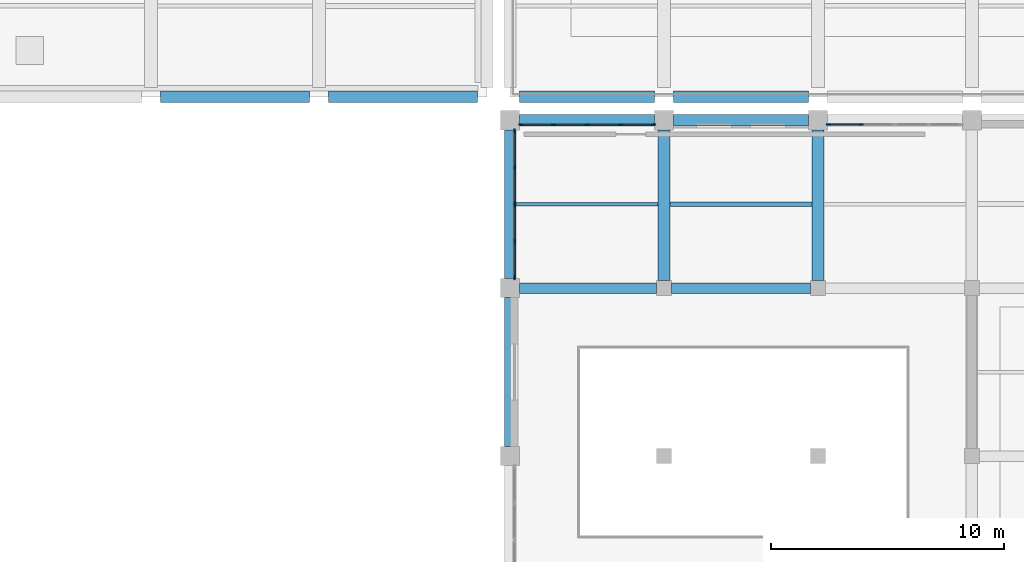
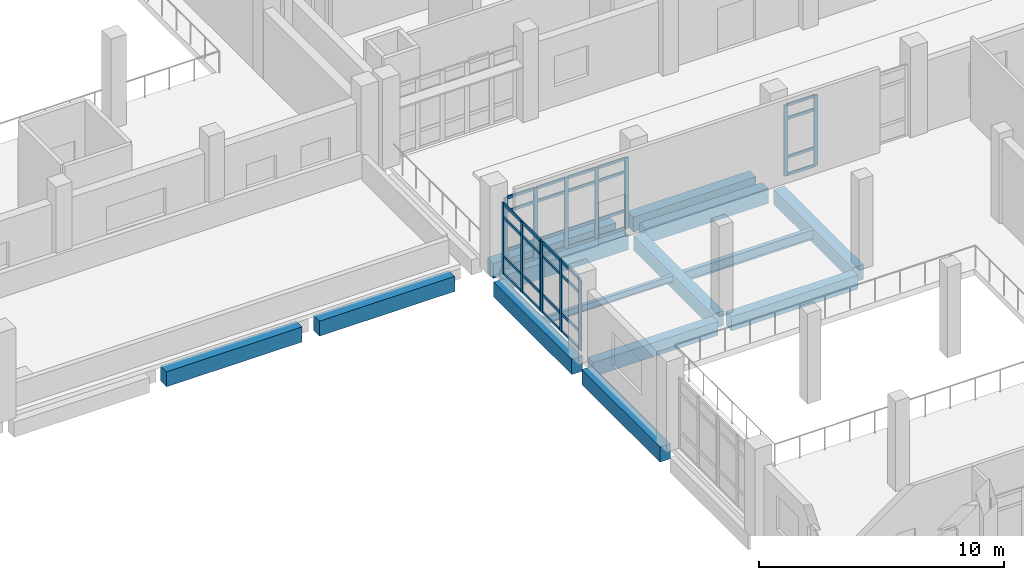
# One storey, part 4 of 54: 49 members, 14 beams, 4 elements without a shape of their own.
"""IFC4 building model written with IfcOpenShell, lengths in metres."""

from ifc_helpers import new_model, si_unit, direction, frame, origin, origin_2d, place, context, subcontext, project, spatial, rectangle, i_section, extrude, material, layer, layer_set, material_profile, profile_set, type_object, element, aggregate, save


model = new_model("IFC4")

# Units and contexts
model_context = context("Model", 3, precision=1e-05, world=origin(), true_north=direction((0.0, 1.0)))
body_context = subcontext(model_context, "Body", "Model", "MODEL_VIEW")
ifc_project = project(units=[si_unit("LENGTHUNIT", "METRE"), si_unit("AREAUNIT", "SQUARE_METRE"), si_unit("VOLUMEUNIT", "CUBIC_METRE"), si_unit("PLANEANGLEUNIT", "RADIAN"), si_unit("MASSUNIT", "GRAM", prefix="KILO")], contexts=[model_context])

# Site, building, storey
site_placement = place(None, origin())
site = spatial("IfcSite", under=ifc_project, at=site_placement, CompositionType="ELEMENT")
building_placement = place(site_placement, origin())
building = spatial("IfcBuilding", under=site, at=building_placement, Name="Kelarvand Opera House", CompositionType="ELEMENT")
storey_placement = place(building_placement, frame((0.0, 0.0, 15.0)))
storey = spatial("IfcBuildingStorey", under=building, at=storey_placement, Name="L03", CompositionType="ELEMENT", Elevation=15.0)

# Curtain wall, members
ifc_material_1 = material(Name="Thermally broken aluminium and low-E glazing", Category="aluminium")
ifc_layer_1 = layer(ifc_material_1, 0.179931640625, Name="Thermally broken aluminium and low-E glazing", Category="aluminium")
ifc_layer_set_1 = layer_set([ifc_layer_1], Name="Thermally broken aluminium and low-E glazing")
curtain_wall_type_1 = type_object("IfcCurtainWallType", Name="Unitised Low-E Curtain Wall 5760x3530 Mod 1350 CWF-58", PredefinedType="USERDEFINED", material=ifc_layer_set_1)
curtain_wall_1_placement = place(storey_placement, origin())
curtain_wall_1 = element("IfcCurtainWall", 1, at=curtain_wall_1_placement, inside=storey, type_object=curtain_wall_type_1, Name="V6 L03 Curtain Wall CWF-58 (231)", ObjectType="UNITISED CURTAIN WALL", PredefinedType="USERDEFINED")
ifc_material_2 = material(Name="Thermally broken anodised aluminium", Category="aluminium")
ifc_material_profile_1 = material_profile(ifc_material_2, rectangle(XDim=0.06494140625, YDim=0.179931640625, at=origin_2d()), Name="ALU MULLION 65x180", Category="aluminium")
ifc_profile_set_1 = profile_set([ifc_material_profile_1], Name="Thermally broken anodised aluminium")
member_type_1 = type_object("IfcMemberType", Name="Curtain Wall Mullion 65x180 Aluminium", PredefinedType="MULLION", material=ifc_profile_set_1)
member_1_placement = place(storey_placement, frame((89.452392578125, 37.6201171875, 0.0), z_axis=(0.0, 0.0, 1.0), x_axis=(0.0, 1.0, 0.0)))
member_1 = element("IfcMember", 2, at=member_1_placement, type_object=member_type_1, Name="CWF-58 mullion 1", PredefinedType="MULLION", context=body_context, shape_type="SweptSolid", body=[
    extrude(rectangle(XDim=0.06494140625, YDim=0.179931640625, at=origin_2d()), origin(), (0.0, 0.0, 1.0), 3.530029296875),
])
member_2_placement = place(storey_placement, frame((90.860107421875, 37.6201171875, 0.0), z_axis=(0.0, 0.0, 1.0), x_axis=(0.0, 1.0, 0.0)))
member_2 = element("IfcMember", 3, at=member_2_placement, type_object=member_type_1, Name="CWF-58 mullion 2", PredefinedType="MULLION", context=body_context, shape_type="SweptSolid", body=[
    extrude(rectangle(XDim=0.06494140625, YDim=0.179931640625, at=origin_2d()), origin(), (0.0, 0.0, 1.0), 3.530029296875),
])
member_3_placement = place(storey_placement, frame((92.300048828125, 37.6201171875, 0.0), z_axis=(0.0, 0.0, 1.0), x_axis=(0.0, 1.0, 0.0)))
member_3 = element("IfcMember", 4, at=member_3_placement, type_object=member_type_1, Name="CWF-58 mullion 3", PredefinedType="MULLION", context=body_context, shape_type="SweptSolid", body=[
    extrude(rectangle(XDim=0.06494140625, YDim=0.179931640625, at=origin_2d()), origin(), (0.0, 0.0, 1.0), 3.530029296875),
])
member_4_placement = place(storey_placement, frame((93.739990234375, 37.6201171875, 0.0), z_axis=(0.0, 0.0, 1.0), x_axis=(0.0, 1.0, 0.0)))
member_4 = element("IfcMember", 5, at=member_4_placement, type_object=member_type_1, Name="CWF-58 mullion 4", PredefinedType="MULLION", context=body_context, shape_type="SweptSolid", body=[
    extrude(rectangle(XDim=0.06494140625, YDim=0.179931640625, at=origin_2d()), origin(), (0.0, 0.0, 1.0), 3.530029296875),
])
member_5_placement = place(storey_placement, frame((95.1474609375, 37.6201171875, 0.0), z_axis=(0.0, 0.0, 1.0), x_axis=(0.0, 1.0, 0.0)))
member_5 = element("IfcMember", 6, at=member_5_placement, type_object=member_type_1, Name="CWF-58 mullion 5", PredefinedType="MULLION", context=body_context, shape_type="SweptSolid", body=[
    extrude(rectangle(XDim=0.06494140625, YDim=0.179931640625, at=origin_2d()), origin(), (0.0, 0.0, 1.0), 3.530029296875),
])

curtain_wall_2_placement = place(storey_placement, origin())
curtain_wall_2 = element("IfcCurtainWall", 7, at=curtain_wall_2_placement, inside=storey, type_object=curtain_wall_type_1, Name="V6 L03 Curtain Wall CWF-58 (232)", ObjectType="UNITISED CURTAIN WALL", PredefinedType="USERDEFINED")
member_6_placement = place(storey_placement, frame((102.652587890625, 37.6201171875, 0.0), z_axis=(0.0, 0.0, 1.0), x_axis=(0.0, 1.0, 0.0)))
member_6 = element("IfcMember", 8, at=member_6_placement, type_object=member_type_1, Name="CWF-58 mullion 1", PredefinedType="MULLION", context=body_context, shape_type="SweptSolid", body=[
    extrude(rectangle(XDim=0.06494140625, YDim=0.179931640625, at=origin_2d()), origin(), (0.0, 0.0, 1.0), 3.530029296875),
])
member_7_placement = place(storey_placement, frame((104.06005859375, 37.6201171875, 0.0), z_axis=(0.0, 0.0, 1.0), x_axis=(0.0, 1.0, 0.0)))
member_7 = element("IfcMember", 9, at=member_7_placement, type_object=member_type_1, Name="CWF-58 mullion 2", PredefinedType="MULLION", context=body_context, shape_type="SweptSolid", body=[
    extrude(rectangle(XDim=0.06494140625, YDim=0.179931640625, at=origin_2d()), origin(), (0.0, 0.0, 1.0), 3.530029296875),
])

ifc_layer_2 = layer(ifc_material_1, 0.179931640625, Name="Thermally broken aluminium and low-E glazing", Category="aluminium")
ifc_layer_set_2 = layer_set([ifc_layer_2], Name="Thermally broken aluminium and low-E glazing")
curtain_wall_type_2 = type_object("IfcCurtainWallType", Name="Unitised Low-E Curtain Wall 3176x3530 Mod 1350 CWF-59", PredefinedType="USERDEFINED", material=ifc_layer_set_2)
curtain_wall_3_placement = place(storey_placement, origin())
curtain_wall_3 = element("IfcCurtainWall", 10, at=curtain_wall_3_placement, inside=storey, type_object=curtain_wall_type_2, Name="V6 L03 Curtain Wall CWF-59 (236)", ObjectType="UNITISED CURTAIN WALL", PredefinedType="USERDEFINED")
member_8_placement = place(storey_placement, frame((89.179931640625, 31.052490234375, 0.0), z_axis=(0.0, 0.0, 1.0), x_axis=(-1.0, 0.0, 0.0)))
member_8 = element("IfcMember", 11, at=member_8_placement, type_object=member_type_1, Name="CWF-59 mullion 1", PredefinedType="MULLION", context=body_context, shape_type="SweptSolid", body=[
    extrude(rectangle(XDim=0.06494140625, YDim=0.179931640625, at=origin_2d()), origin(), (0.0, 0.0, 1.0), 3.530029296875),
])
member_9_placement = place(storey_placement, frame((89.179931640625, 32.60791015625, 0.0), z_axis=(0.0, 0.0, 1.0), x_axis=(-1.0, 0.0, 0.0)))
member_9 = element("IfcMember", 12, at=member_9_placement, type_object=member_type_1, Name="CWF-59 mullion 2", PredefinedType="MULLION", context=body_context, shape_type="SweptSolid", body=[
    extrude(rectangle(XDim=0.06494140625, YDim=0.179931640625, at=origin_2d()), origin(), (0.0, 0.0, 1.0), 3.530029296875),
])
member_10_placement = place(storey_placement, frame((89.179931640625, 34.16357421875, 0.0), z_axis=(0.0, 0.0, 1.0), x_axis=(-1.0, 0.0, 0.0)))
member_10 = element("IfcMember", 13, at=member_10_placement, type_object=member_type_1, Name="CWF-59 mullion 3", PredefinedType="MULLION", context=body_context, shape_type="SweptSolid", body=[
    extrude(rectangle(XDim=0.06494140625, YDim=0.179931640625, at=origin_2d()), origin(), (0.0, 0.0, 1.0), 3.530029296875),
])

curtain_wall_4_placement = place(storey_placement, origin())
curtain_wall_4 = element("IfcCurtainWall", 14, at=curtain_wall_4_placement, inside=storey, type_object=curtain_wall_type_2, Name="V6 L03 Curtain Wall CWF-59 (237)", ObjectType="UNITISED CURTAIN WALL", PredefinedType="USERDEFINED")
member_11_placement = place(storey_placement, frame((89.179931640625, 34.232421875, 0.0), z_axis=(0.0, 0.0, 1.0), x_axis=(-1.0, 0.0, 0.0)))
member_11 = element("IfcMember", 15, at=member_11_placement, type_object=member_type_1, Name="CWF-59 mullion 1", PredefinedType="MULLION", context=body_context, shape_type="SweptSolid", body=[
    extrude(rectangle(XDim=0.06494140625, YDim=0.179931640625, at=origin_2d()), origin(), (0.0, 0.0, 1.0), 3.530029296875),
])
member_12_placement = place(storey_placement, frame((89.179931640625, 35.7900390625, 0.0), z_axis=(0.0, 0.0, 1.0), x_axis=(-1.0, 0.0, 0.0)))
member_12 = element("IfcMember", 16, at=member_12_placement, type_object=member_type_1, Name="CWF-59 mullion 2", PredefinedType="MULLION", context=body_context, shape_type="SweptSolid", body=[
    extrude(rectangle(XDim=0.06494140625, YDim=0.179931640625, at=origin_2d()), origin(), (0.0, 0.0, 1.0), 3.530029296875),
])
member_13_placement = place(storey_placement, frame((89.179931640625, 37.347412109375, 0.0), z_axis=(0.0, 0.0, 1.0), x_axis=(-1.0, 0.0, 0.0)))
member_13 = element("IfcMember", 17, at=member_13_placement, type_object=member_type_1, Name="CWF-59 mullion 3", PredefinedType="MULLION", context=body_context, shape_type="SweptSolid", body=[
    extrude(rectangle(XDim=0.06494140625, YDim=0.179931640625, at=origin_2d()), origin(), (0.0, 0.0, 1.0), 3.530029296875),
])

# Member
ifc_material_profile_2 = material_profile(ifc_material_2, rectangle(XDim=0.06494140625, YDim=0.139892578125, at=origin_2d()), Name="ALU TRANSOM 65x140", Category="aluminium")
ifc_profile_set_2 = profile_set([ifc_material_profile_2], Name="Thermally broken anodised aluminium")
member_type_2 = type_object("IfcMemberType", Name="Curtain Wall Transom 65x140 Aluminium", PredefinedType="USERDEFINED", material=ifc_profile_set_2)
member_14_placement = place(storey_placement, frame((89.485107421875, 37.6201171875, 0.032470703125), z_axis=(1.0, 0.0, 0.0), x_axis=(0.0, 1.0, 0.0)))
member_14 = element("IfcMember", 18, at=member_14_placement, type_object=member_type_2, Name="CWF-58 transom 1.1", ObjectType="TRANSOM", PredefinedType="USERDEFINED", context=body_context, shape_type="SweptSolid", body=[
    extrude(rectangle(XDim=0.06494140625, YDim=0.139892578125, at=origin_2d()), origin(), (0.0, 0.0, 1.0), 1.34228515625),
])

member_15_placement = place(storey_placement, frame((89.485107421875, 37.6201171875, 0.89990234375), z_axis=(1.0, 0.0, 0.0), x_axis=(0.0, 1.0, 0.0)))
member_15 = element("IfcMember", 19, at=member_15_placement, type_object=member_type_2, Name="CWF-58 transom 1.2", ObjectType="TRANSOM", PredefinedType="USERDEFINED", context=body_context, shape_type="SweptSolid", body=[
    extrude(rectangle(XDim=0.06494140625, YDim=0.139892578125, at=origin_2d()), origin(), (0.0, 0.0, 1.0), 1.34228515625),
])

member_16_placement = place(storey_placement, frame((89.485107421875, 37.6201171875, 2.830078125), z_axis=(1.0, 0.0, 0.0), x_axis=(0.0, 1.0, 0.0)))
member_16 = element("IfcMember", 20, at=member_16_placement, type_object=member_type_2, Name="CWF-58 transom 1.3", ObjectType="TRANSOM", PredefinedType="USERDEFINED", context=body_context, shape_type="SweptSolid", body=[
    extrude(rectangle(XDim=0.06494140625, YDim=0.139892578125, at=origin_2d()), origin(), (0.0, 0.0, 1.0), 1.34228515625),
])

member_17_placement = place(storey_placement, frame((89.485107421875, 37.6201171875, 3.49755859375), z_axis=(1.0, 0.0, 0.0), x_axis=(0.0, 1.0, 0.0)))
member_17 = element("IfcMember", 21, at=member_17_placement, type_object=member_type_2, Name="CWF-58 transom 1.4", ObjectType="TRANSOM", PredefinedType="USERDEFINED", context=body_context, shape_type="SweptSolid", body=[
    extrude(rectangle(XDim=0.06494140625, YDim=0.139892578125, at=origin_2d()), origin(), (0.0, 0.0, 1.0), 1.34228515625),
])

member_18_placement = place(storey_placement, frame((90.892578125, 37.6201171875, 0.032470703125), z_axis=(1.0, 0.0, 0.0), x_axis=(0.0, 1.0, 0.0)))
member_18 = element("IfcMember", 22, at=member_18_placement, type_object=member_type_2, Name="CWF-58 transom 2.1", ObjectType="TRANSOM", PredefinedType="USERDEFINED", context=body_context, shape_type="SweptSolid", body=[
    extrude(rectangle(XDim=0.06494140625, YDim=0.139892578125, at=origin_2d()), origin(), (0.0, 0.0, 1.0), 1.375),
])

member_19_placement = place(storey_placement, frame((90.892578125, 37.6201171875, 0.89990234375), z_axis=(1.0, 0.0, 0.0), x_axis=(0.0, 1.0, 0.0)))
member_19 = element("IfcMember", 23, at=member_19_placement, type_object=member_type_2, Name="CWF-58 transom 2.2", ObjectType="TRANSOM", PredefinedType="USERDEFINED", context=body_context, shape_type="SweptSolid", body=[
    extrude(rectangle(XDim=0.06494140625, YDim=0.139892578125, at=origin_2d()), origin(), (0.0, 0.0, 1.0), 1.375),
])

member_20_placement = place(storey_placement, frame((90.892578125, 37.6201171875, 2.830078125), z_axis=(1.0, 0.0, 0.0), x_axis=(0.0, 1.0, 0.0)))
member_20 = element("IfcMember", 24, at=member_20_placement, type_object=member_type_2, Name="CWF-58 transom 2.3", ObjectType="TRANSOM", PredefinedType="USERDEFINED", context=body_context, shape_type="SweptSolid", body=[
    extrude(rectangle(XDim=0.06494140625, YDim=0.139892578125, at=origin_2d()), origin(), (0.0, 0.0, 1.0), 1.375),
])

member_21_placement = place(storey_placement, frame((90.892578125, 37.6201171875, 3.49755859375), z_axis=(1.0, 0.0, 0.0), x_axis=(0.0, 1.0, 0.0)))
member_21 = element("IfcMember", 25, at=member_21_placement, type_object=member_type_2, Name="CWF-58 transom 2.4", ObjectType="TRANSOM", PredefinedType="USERDEFINED", context=body_context, shape_type="SweptSolid", body=[
    extrude(rectangle(XDim=0.06494140625, YDim=0.139892578125, at=origin_2d()), origin(), (0.0, 0.0, 1.0), 1.375),
])

member_22_placement = place(storey_placement, frame((92.33251953125, 37.6201171875, 0.032470703125), z_axis=(1.0, 0.0, 0.0), x_axis=(0.0, 1.0, 0.0)))
member_22 = element("IfcMember", 26, at=member_22_placement, type_object=member_type_2, Name="CWF-58 transom 3.1", ObjectType="TRANSOM", PredefinedType="USERDEFINED", context=body_context, shape_type="SweptSolid", body=[
    extrude(rectangle(XDim=0.06494140625, YDim=0.139892578125, at=origin_2d()), origin(), (0.0, 0.0, 1.0), 1.375),
])

member_23_placement = place(storey_placement, frame((92.33251953125, 37.6201171875, 0.89990234375), z_axis=(1.0, 0.0, 0.0), x_axis=(0.0, 1.0, 0.0)))
member_23 = element("IfcMember", 27, at=member_23_placement, type_object=member_type_2, Name="CWF-58 transom 3.2", ObjectType="TRANSOM", PredefinedType="USERDEFINED", context=body_context, shape_type="SweptSolid", body=[
    extrude(rectangle(XDim=0.06494140625, YDim=0.139892578125, at=origin_2d()), origin(), (0.0, 0.0, 1.0), 1.375),
])

member_24_placement = place(storey_placement, frame((92.33251953125, 37.6201171875, 2.830078125), z_axis=(1.0, 0.0, 0.0), x_axis=(0.0, 1.0, 0.0)))
member_24 = element("IfcMember", 28, at=member_24_placement, type_object=member_type_2, Name="CWF-58 transom 3.3", ObjectType="TRANSOM", PredefinedType="USERDEFINED", context=body_context, shape_type="SweptSolid", body=[
    extrude(rectangle(XDim=0.06494140625, YDim=0.139892578125, at=origin_2d()), origin(), (0.0, 0.0, 1.0), 1.375),
])

member_25_placement = place(storey_placement, frame((92.33251953125, 37.6201171875, 3.49755859375), z_axis=(1.0, 0.0, 0.0), x_axis=(0.0, 1.0, 0.0)))
member_25 = element("IfcMember", 29, at=member_25_placement, type_object=member_type_2, Name="CWF-58 transom 3.4", ObjectType="TRANSOM", PredefinedType="USERDEFINED", context=body_context, shape_type="SweptSolid", body=[
    extrude(rectangle(XDim=0.06494140625, YDim=0.139892578125, at=origin_2d()), origin(), (0.0, 0.0, 1.0), 1.375),
])

member_26_placement = place(storey_placement, frame((93.7724609375, 37.6201171875, 0.032470703125), z_axis=(1.0, 0.0, 0.0), x_axis=(0.0, 1.0, 0.0)))
member_26 = element("IfcMember", 30, at=member_26_placement, type_object=member_type_2, Name="CWF-58 transom 4.1", ObjectType="TRANSOM", PredefinedType="USERDEFINED", context=body_context, shape_type="SweptSolid", body=[
    extrude(rectangle(XDim=0.06494140625, YDim=0.139892578125, at=origin_2d()), origin(), (0.0, 0.0, 1.0), 1.342529296875),
])

member_27_placement = place(storey_placement, frame((93.7724609375, 37.6201171875, 0.89990234375), z_axis=(1.0, 0.0, 0.0), x_axis=(0.0, 1.0, 0.0)))
member_27 = element("IfcMember", 31, at=member_27_placement, type_object=member_type_2, Name="CWF-58 transom 4.2", ObjectType="TRANSOM", PredefinedType="USERDEFINED", context=body_context, shape_type="SweptSolid", body=[
    extrude(rectangle(XDim=0.06494140625, YDim=0.139892578125, at=origin_2d()), origin(), (0.0, 0.0, 1.0), 1.342529296875),
])

member_28_placement = place(storey_placement, frame((93.7724609375, 37.6201171875, 2.830078125), z_axis=(1.0, 0.0, 0.0), x_axis=(0.0, 1.0, 0.0)))
member_28 = element("IfcMember", 32, at=member_28_placement, type_object=member_type_2, Name="CWF-58 transom 4.3", ObjectType="TRANSOM", PredefinedType="USERDEFINED", context=body_context, shape_type="SweptSolid", body=[
    extrude(rectangle(XDim=0.06494140625, YDim=0.139892578125, at=origin_2d()), origin(), (0.0, 0.0, 1.0), 1.342529296875),
])

member_29_placement = place(storey_placement, frame((93.7724609375, 37.6201171875, 3.49755859375), z_axis=(1.0, 0.0, 0.0), x_axis=(0.0, 1.0, 0.0)))
member_29 = element("IfcMember", 33, at=member_29_placement, type_object=member_type_2, Name="CWF-58 transom 4.4", ObjectType="TRANSOM", PredefinedType="USERDEFINED", context=body_context, shape_type="SweptSolid", body=[
    extrude(rectangle(XDim=0.06494140625, YDim=0.139892578125, at=origin_2d()), origin(), (0.0, 0.0, 1.0), 1.342529296875),
])

aggregate(curtain_wall_1, [member_1, member_2, member_3, member_4, member_5, member_14, member_15, member_16, member_17, member_18, member_19, member_20, member_21, member_22, member_23, member_24, member_25, member_26, member_27, member_28, member_29])

member_30_placement = place(storey_placement, frame((102.68505859375, 37.6201171875, 0.032470703125), z_axis=(1.0, 0.0, 0.0), x_axis=(0.0, 1.0, 0.0)))
member_30 = element("IfcMember", 34, at=member_30_placement, type_object=member_type_2, Name="CWF-58 transom 1.1", ObjectType="TRANSOM", PredefinedType="USERDEFINED", context=body_context, shape_type="SweptSolid", body=[
    extrude(rectangle(XDim=0.06494140625, YDim=0.139892578125, at=origin_2d()), origin(), (0.0, 0.0, 1.0), 1.342529296875),
])

member_31_placement = place(storey_placement, frame((102.68505859375, 37.6201171875, 0.89990234375), z_axis=(1.0, 0.0, 0.0), x_axis=(0.0, 1.0, 0.0)))
member_31 = element("IfcMember", 35, at=member_31_placement, type_object=member_type_2, Name="CWF-58 transom 1.2", ObjectType="TRANSOM", PredefinedType="USERDEFINED", context=body_context, shape_type="SweptSolid", body=[
    extrude(rectangle(XDim=0.06494140625, YDim=0.139892578125, at=origin_2d()), origin(), (0.0, 0.0, 1.0), 1.342529296875),
])

member_32_placement = place(storey_placement, frame((102.68505859375, 37.6201171875, 2.830078125), z_axis=(1.0, 0.0, 0.0), x_axis=(0.0, 1.0, 0.0)))
member_32 = element("IfcMember", 36, at=member_32_placement, type_object=member_type_2, Name="CWF-58 transom 1.3", ObjectType="TRANSOM", PredefinedType="USERDEFINED", context=body_context, shape_type="SweptSolid", body=[
    extrude(rectangle(XDim=0.06494140625, YDim=0.139892578125, at=origin_2d()), origin(), (0.0, 0.0, 1.0), 1.342529296875),
])

member_33_placement = place(storey_placement, frame((102.68505859375, 37.6201171875, 3.49755859375), z_axis=(1.0, 0.0, 0.0), x_axis=(0.0, 1.0, 0.0)))
member_33 = element("IfcMember", 37, at=member_33_placement, type_object=member_type_2, Name="CWF-58 transom 1.4", ObjectType="TRANSOM", PredefinedType="USERDEFINED", context=body_context, shape_type="SweptSolid", body=[
    extrude(rectangle(XDim=0.06494140625, YDim=0.139892578125, at=origin_2d()), origin(), (0.0, 0.0, 1.0), 1.342529296875),
])

aggregate(curtain_wall_2, [member_6, member_7, member_30, member_31, member_32, member_33])

member_34_placement = place(storey_placement, frame((89.179931640625, 31.0849609375, 0.032470703125), z_axis=(0.0, 1.0, 0.0), x_axis=(-1.0, 0.0, 0.0)))
member_34 = element("IfcMember", 38, at=member_34_placement, type_object=member_type_2, Name="CWF-59 transom 1.1", ObjectType="TRANSOM", PredefinedType="USERDEFINED", context=body_context, shape_type="SweptSolid", body=[
    extrude(rectangle(XDim=0.06494140625, YDim=0.139892578125, at=origin_2d()), origin(), (0.0, 0.0, 1.0), 1.490478515625),
])

member_35_placement = place(storey_placement, frame((89.179931640625, 31.0849609375, 0.89990234375), z_axis=(0.0, 1.0, 0.0), x_axis=(-1.0, 0.0, 0.0)))
member_35 = element("IfcMember", 39, at=member_35_placement, type_object=member_type_2, Name="CWF-59 transom 1.2", ObjectType="TRANSOM", PredefinedType="USERDEFINED", context=body_context, shape_type="SweptSolid", body=[
    extrude(rectangle(XDim=0.06494140625, YDim=0.139892578125, at=origin_2d()), origin(), (0.0, 0.0, 1.0), 1.490478515625),
])

member_36_placement = place(storey_placement, frame((89.179931640625, 31.0849609375, 2.830078125), z_axis=(0.0, 1.0, 0.0), x_axis=(-1.0, 0.0, 0.0)))
member_36 = element("IfcMember", 40, at=member_36_placement, type_object=member_type_2, Name="CWF-59 transom 1.3", ObjectType="TRANSOM", PredefinedType="USERDEFINED", context=body_context, shape_type="SweptSolid", body=[
    extrude(rectangle(XDim=0.06494140625, YDim=0.139892578125, at=origin_2d()), origin(), (0.0, 0.0, 1.0), 1.490478515625),
])

member_37_placement = place(storey_placement, frame((89.179931640625, 31.0849609375, 3.49755859375), z_axis=(0.0, 1.0, 0.0), x_axis=(-1.0, 0.0, 0.0)))
member_37 = element("IfcMember", 41, at=member_37_placement, type_object=member_type_2, Name="CWF-59 transom 1.4", ObjectType="TRANSOM", PredefinedType="USERDEFINED", context=body_context, shape_type="SweptSolid", body=[
    extrude(rectangle(XDim=0.06494140625, YDim=0.139892578125, at=origin_2d()), origin(), (0.0, 0.0, 1.0), 1.490478515625),
])

member_38_placement = place(storey_placement, frame((89.179931640625, 32.640380859375, 0.032470703125), z_axis=(0.0, 1.0, 0.0), x_axis=(-1.0, 0.0, 0.0)))
member_38 = element("IfcMember", 42, at=member_38_placement, type_object=member_type_2, Name="CWF-59 transom 2.1", ObjectType="TRANSOM", PredefinedType="USERDEFINED", context=body_context, shape_type="SweptSolid", body=[
    extrude(rectangle(XDim=0.06494140625, YDim=0.139892578125, at=origin_2d()), origin(), (0.0, 0.0, 1.0), 1.49072265625),
])

member_39_placement = place(storey_placement, frame((89.179931640625, 32.640380859375, 0.89990234375), z_axis=(0.0, 1.0, 0.0), x_axis=(-1.0, 0.0, 0.0)))
member_39 = element("IfcMember", 43, at=member_39_placement, type_object=member_type_2, Name="CWF-59 transom 2.2", ObjectType="TRANSOM", PredefinedType="USERDEFINED", context=body_context, shape_type="SweptSolid", body=[
    extrude(rectangle(XDim=0.06494140625, YDim=0.139892578125, at=origin_2d()), origin(), (0.0, 0.0, 1.0), 1.49072265625),
])

member_40_placement = place(storey_placement, frame((89.179931640625, 32.640380859375, 2.830078125), z_axis=(0.0, 1.0, 0.0), x_axis=(-1.0, 0.0, 0.0)))
member_40 = element("IfcMember", 44, at=member_40_placement, type_object=member_type_2, Name="CWF-59 transom 2.3", ObjectType="TRANSOM", PredefinedType="USERDEFINED", context=body_context, shape_type="SweptSolid", body=[
    extrude(rectangle(XDim=0.06494140625, YDim=0.139892578125, at=origin_2d()), origin(), (0.0, 0.0, 1.0), 1.49072265625),
])

member_41_placement = place(storey_placement, frame((89.179931640625, 32.640380859375, 3.49755859375), z_axis=(0.0, 1.0, 0.0), x_axis=(-1.0, 0.0, 0.0)))
member_41 = element("IfcMember", 45, at=member_41_placement, type_object=member_type_2, Name="CWF-59 transom 2.4", ObjectType="TRANSOM", PredefinedType="USERDEFINED", context=body_context, shape_type="SweptSolid", body=[
    extrude(rectangle(XDim=0.06494140625, YDim=0.139892578125, at=origin_2d()), origin(), (0.0, 0.0, 1.0), 1.49072265625),
])

aggregate(curtain_wall_3, [member_8, member_9, member_10, member_34, member_35, member_36, member_37, member_38, member_39, member_40, member_41])

member_42_placement = place(storey_placement, frame((89.179931640625, 34.264892578125, 0.032470703125), z_axis=(0.0, 1.0, 0.0), x_axis=(-1.0, 0.0, 0.0)))
member_42 = element("IfcMember", 46, at=member_42_placement, type_object=member_type_2, Name="CWF-59 transom 1.1", ObjectType="TRANSOM", PredefinedType="USERDEFINED", context=body_context, shape_type="SweptSolid", body=[
    extrude(rectangle(XDim=0.06494140625, YDim=0.139892578125, at=origin_2d()), origin(), (0.0, 0.0, 1.0), 1.49267578125),
])

member_43_placement = place(storey_placement, frame((89.179931640625, 34.264892578125, 0.89990234375), z_axis=(0.0, 1.0, 0.0), x_axis=(-1.0, 0.0, 0.0)))
member_43 = element("IfcMember", 47, at=member_43_placement, type_object=member_type_2, Name="CWF-59 transom 1.2", ObjectType="TRANSOM", PredefinedType="USERDEFINED", context=body_context, shape_type="SweptSolid", body=[
    extrude(rectangle(XDim=0.06494140625, YDim=0.139892578125, at=origin_2d()), origin(), (0.0, 0.0, 1.0), 1.49267578125),
])

member_44_placement = place(storey_placement, frame((89.179931640625, 34.264892578125, 2.830078125), z_axis=(0.0, 1.0, 0.0), x_axis=(-1.0, 0.0, 0.0)))
member_44 = element("IfcMember", 48, at=member_44_placement, type_object=member_type_2, Name="CWF-59 transom 1.3", ObjectType="TRANSOM", PredefinedType="USERDEFINED", context=body_context, shape_type="SweptSolid", body=[
    extrude(rectangle(XDim=0.06494140625, YDim=0.139892578125, at=origin_2d()), origin(), (0.0, 0.0, 1.0), 1.49267578125),
])

member_45_placement = place(storey_placement, frame((89.179931640625, 34.264892578125, 3.49755859375), z_axis=(0.0, 1.0, 0.0), x_axis=(-1.0, 0.0, 0.0)))
member_45 = element("IfcMember", 49, at=member_45_placement, type_object=member_type_2, Name="CWF-59 transom 1.4", ObjectType="TRANSOM", PredefinedType="USERDEFINED", context=body_context, shape_type="SweptSolid", body=[
    extrude(rectangle(XDim=0.06494140625, YDim=0.139892578125, at=origin_2d()), origin(), (0.0, 0.0, 1.0), 1.49267578125),
])

member_46_placement = place(storey_placement, frame((89.179931640625, 35.822509765625, 0.032470703125), z_axis=(0.0, 1.0, 0.0), x_axis=(-1.0, 0.0, 0.0)))
member_46 = element("IfcMember", 50, at=member_46_placement, type_object=member_type_2, Name="CWF-59 transom 2.1", ObjectType="TRANSOM", PredefinedType="USERDEFINED", context=body_context, shape_type="SweptSolid", body=[
    extrude(rectangle(XDim=0.06494140625, YDim=0.139892578125, at=origin_2d()), origin(), (0.0, 0.0, 1.0), 1.492431640625),
])

member_47_placement = place(storey_placement, frame((89.179931640625, 35.822509765625, 0.89990234375), z_axis=(0.0, 1.0, 0.0), x_axis=(-1.0, 0.0, 0.0)))
member_47 = element("IfcMember", 51, at=member_47_placement, type_object=member_type_2, Name="CWF-59 transom 2.2", ObjectType="TRANSOM", PredefinedType="USERDEFINED", context=body_context, shape_type="SweptSolid", body=[
    extrude(rectangle(XDim=0.06494140625, YDim=0.139892578125, at=origin_2d()), origin(), (0.0, 0.0, 1.0), 1.492431640625),
])

member_48_placement = place(storey_placement, frame((89.179931640625, 35.822509765625, 2.830078125), z_axis=(0.0, 1.0, 0.0), x_axis=(-1.0, 0.0, 0.0)))
member_48 = element("IfcMember", 52, at=member_48_placement, type_object=member_type_2, Name="CWF-59 transom 2.3", ObjectType="TRANSOM", PredefinedType="USERDEFINED", context=body_context, shape_type="SweptSolid", body=[
    extrude(rectangle(XDim=0.06494140625, YDim=0.139892578125, at=origin_2d()), origin(), (0.0, 0.0, 1.0), 1.492431640625),
])

member_49_placement = place(storey_placement, frame((89.179931640625, 35.822509765625, 3.49755859375), z_axis=(0.0, 1.0, 0.0), x_axis=(-1.0, 0.0, 0.0)))
member_49 = element("IfcMember", 53, at=member_49_placement, type_object=member_type_2, Name="CWF-59 transom 2.4", ObjectType="TRANSOM", PredefinedType="USERDEFINED", context=body_context, shape_type="SweptSolid", body=[
    extrude(rectangle(XDim=0.06494140625, YDim=0.139892578125, at=origin_2d()), origin(), (0.0, 0.0, 1.0), 1.492431640625),
])

aggregate(curtain_wall_4, [member_11, member_12, member_13, member_42, member_43, member_44, member_45, member_46, member_47, member_48, member_49])

# Beams
ifc_material_3 = material(Name="Concrete C40/50", Category="concrete")
ifc_material_profile_3 = material_profile(ifc_material_3, rectangle(XDim=0.449951171875, YDim=0.699951171875, at=origin_2d()), Name="RC 450x700", Category="concrete")
ifc_profile_set_3 = profile_set([ifc_material_profile_3], Name="Concrete C40/50")
beam_type_1 = type_object("IfcBeamType", Name="Structural Beam RC 450x700 BM-RC450x700", PredefinedType="BEAM", material=ifc_profile_set_3)
beam_1_placement = place(storey_placement, frame((89.409912109375, 30.60009765625, -0.64990234375), z_axis=(1.0, 0.0, 0.0), x_axis=(0.0, 1.0, 0.0)))
element("IfcBeam", 54, at=beam_1_placement, inside=storey, type_object=beam_type_1, Name="V6 L03 Beam BM-RC450x700", PredefinedType="BEAM", context=body_context, shape_type="SweptSolid", body=[
    extrude(rectangle(XDim=0.449951171875, YDim=0.699951171875, at=origin_2d()), origin(), (0.0, 0.0, 1.0), 5.864990234375),
])
beam_2_placement = place(storey_placement, frame((95.925048828125, 30.60009765625, -0.64990234375), z_axis=(1.0, 0.0, 0.0), x_axis=(0.0, 1.0, 0.0)))
element("IfcBeam", 55, at=beam_2_placement, inside=storey, type_object=beam_type_1, Name="V6 L03 Beam BM-RC450x700", PredefinedType="BEAM", context=body_context, shape_type="SweptSolid", body=[
    extrude(rectangle(XDim=0.449951171875, YDim=0.699951171875, at=origin_2d()), origin(), (0.0, 0.0, 1.0), 5.949951171875),
])
ifc_material_profile_4 = material_profile(ifc_material_3, rectangle(XDim=0.5, YDim=0.75, at=origin_2d()), Name="RC 500x750", Category="concrete")
ifc_profile_set_4 = profile_set([ifc_material_profile_4], Name="Concrete C40/50")
beam_type_2 = type_object("IfcBeamType", Name="Structural Beam RC 500x750 BM-RC500x750", PredefinedType="BEAM", material=ifc_profile_set_4)
for number, where, z_axis, x_axis, name in (
    (56, (95.60009765625, 30.925048828125, -0.675048828125), (0.0, 1.0, 0.0), (-1.0, 0.0, 0.0), "V6 L03 Beam BM-RC500x750"),
    (57, (102.199951171875, 30.925048828125, -0.675048828125), (0.0, 1.0, 0.0), (-1.0, 0.0, 0.0), "V6 L03 Beam BM-RC500x750"),
):
    element("IfcBeam", number, at=place(storey_placement, frame(where, z_axis=z_axis, x_axis=x_axis)), inside=storey, type_object=beam_type_2, Name=name, PredefinedType="BEAM", context=body_context, shape_type="SweptSolid", body=[
        extrude(rectangle(XDim=0.5, YDim=0.75, at=origin_2d()), origin(), (0.0, 0.0, 1.0), 6.46484375),
    ])
ifc_material_4 = material(Name="Steel S355", Category="steel")
ifc_material_profile_5 = material_profile(ifc_material_4, i_section(OverallWidth=0.159912109375, OverallDepth=0.330078125, WebThickness=0.007568359375, FlangeThickness=0.011474609375, at=origin_2d()), Name="IPE 330", Category="steel")
ifc_profile_set_5 = profile_set([ifc_material_profile_5], Name="Steel S355")
beam_type_3 = type_object("IfcBeamType", Name="Structural Joist IPE 330 JS-IPE330", PredefinedType="JOIST", material=ifc_profile_set_5)
beam_3_placement = place(storey_placement, frame((89.25, 34.199951171875, -0.465087890625), z_axis=(1.0, 0.0, 0.0), x_axis=(0.0, 1.0, 0.0)))
element("IfcBeam", 58, at=beam_3_placement, inside=storey, type_object=beam_type_3, Name="V6 L03 Beam JS-IPE330", PredefinedType="JOIST", context=body_context, shape_type="SweptSolid", body=[
    extrude(i_section(OverallWidth=0.159912109375, OverallDepth=0.330078125, WebThickness=0.007568359375, FlangeThickness=0.011474609375, at=origin_2d()), origin(), (0.0, 0.0, 1.0), 6.10009765625),
])
ifc_material_profile_6 = material_profile(ifc_material_4, i_section(OverallWidth=0.199951171875, OverallDepth=0.5, WebThickness=0.01025390625, FlangeThickness=0.01611328125, at=origin_2d()), Name="IPE 500", Category="steel")
ifc_profile_set_6 = profile_set([ifc_material_profile_6], Name="Steel S355")
beam_type_4 = type_object("IfcBeamType", Name="Structural Joist IPE 500 JS-IPE500", PredefinedType="JOIST", material=ifc_profile_set_6)
beam_4_placement = place(storey_placement, frame((95.85009765625, 34.199951171875, -0.550048828125), z_axis=(1.0, 0.0, 0.0), x_axis=(0.0, 1.0, 0.0)))
element("IfcBeam", 59, at=beam_4_placement, inside=storey, type_object=beam_type_4, Name="V6 L03 Beam JS-IPE500", PredefinedType="JOIST", context=body_context, shape_type="SweptSolid", body=[
    extrude(i_section(OverallWidth=0.199951171875, OverallDepth=0.5, WebThickness=0.01025390625, FlangeThickness=0.01611328125, at=origin_2d()), origin(), (0.0, 0.0, 1.0), 6.099853515625),
])
ifc_material_profile_7 = material_profile(ifc_material_3, rectangle(XDim=0.5, YDim=0.75, at=origin_2d()), Name="RC 500x750", Category="concrete")
ifc_profile_set_7 = profile_set([ifc_material_profile_7], Name="Concrete C40/50")
beam_type_5 = type_object("IfcBeamType", Name="Structural Spandrel RC 500x750 SP-RC500x750E", PredefinedType="SPANDREL", material=ifc_profile_set_7)
for number, where, z_axis, x_axis, name in (
    (60, (89.409912109375, 38.800048828125, -0.695068359375), (1.0, 0.0, 0.0), (0.0, 1.0, 0.0), "V1 L03 Beam SP-RC500x750E"),
    (61, (96.010009765625, 38.800048828125, -0.695068359375), (1.0, 0.0, 0.0), (0.0, 1.0, 0.0), "V1 L03 Beam SP-RC500x750E"),
):
    element("IfcBeam", number, at=place(storey_placement, frame(where, z_axis=z_axis, x_axis=x_axis)), inside=storey, type_object=beam_type_5, Name=name, PredefinedType="SPANDREL", context=body_context, shape_type="SweptSolid", body=[
        extrude(rectangle(XDim=0.5, YDim=0.75, at=origin_2d()), origin(), (0.0, 0.0, 1.0), 5.780029296875),
    ])
beam_5_placement = place(storey_placement, frame((74.010009765625, 38.800048828125, -0.695068359375), z_axis=(1.0, 0.0, 0.0), x_axis=(0.0, 1.0, 0.0)))
element("IfcBeam", 62, at=beam_5_placement, inside=storey, type_object=beam_type_5, Name="V2 L03 Beam SP-RC500x750E", PredefinedType="SPANDREL", context=body_context, shape_type="SweptSolid", body=[
    extrude(rectangle(XDim=0.5, YDim=0.75, at=origin_2d()), origin(), (0.0, 0.0, 1.0), 6.3798828125),
])
beam_6_placement = place(storey_placement, frame((81.2099609375, 38.800048828125, -0.695068359375), z_axis=(1.0, 0.0, 0.0), x_axis=(0.0, 1.0, 0.0)))
element("IfcBeam", 63, at=beam_6_placement, inside=storey, type_object=beam_type_5, Name="V2 L03 Beam SP-RC500x750E", PredefinedType="SPANDREL", context=body_context, shape_type="SweptSolid", body=[
    extrude(rectangle(XDim=0.5, YDim=0.75, at=origin_2d()), origin(), (0.0, 0.0, 1.0), 6.380126953125),
])
for number, where, z_axis, x_axis, name in (
    (64, (89.409912109375, 37.800048828125, -0.675048828125), (1.0, 0.0, 0.0), (0.0, 1.0, 0.0), "V6 L03 Beam SP-RC500x750E"),
    (65, (96.010009765625, 37.800048828125, -0.675048828125), (1.0, 0.0, 0.0), (0.0, 1.0, 0.0), "V6 L03 Beam SP-RC500x750E"),
):
    element("IfcBeam", number, at=place(storey_placement, frame(where, z_axis=z_axis, x_axis=x_axis)), inside=storey, type_object=beam_type_5, Name=name, PredefinedType="SPANDREL", context=body_context, shape_type="SweptSolid", body=[
        extrude(rectangle(XDim=0.5, YDim=0.75, at=origin_2d()), origin(), (0.0, 0.0, 1.0), 5.780029296875),
    ])
for number, where, z_axis, x_axis, name in (
    (66, (89.0, 23.81005859375, -0.675048828125), (0.0, 1.0, 0.0), (-1.0, 0.0, 0.0), "V6 L03 Beam SP-RC500x750E"),
    (67, (89.0, 31.010009765625, -0.675048828125), (0.0, 1.0, 0.0), (-1.0, 0.0, 0.0), "V6 L03 Beam SP-RC500x750E"),
):
    element("IfcBeam", number, at=place(storey_placement, frame(where, z_axis=z_axis, x_axis=x_axis)), inside=storey, type_object=beam_type_5, Name=name, PredefinedType="SPANDREL", context=body_context, shape_type="SweptSolid", body=[
        extrude(rectangle(XDim=0.5, YDim=0.75, at=origin_2d()), origin(), (0.0, 0.0, 1.0), 6.3798828125),
    ])

save(model, "model.ifc")
